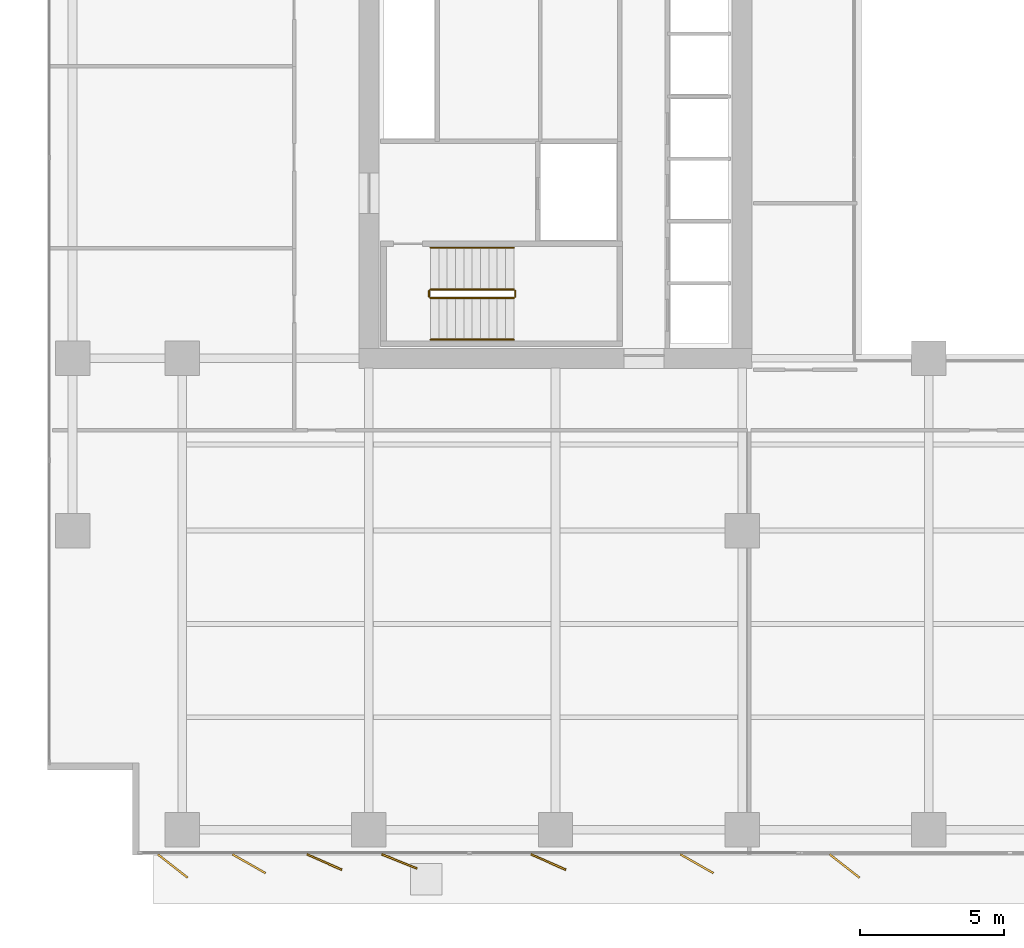
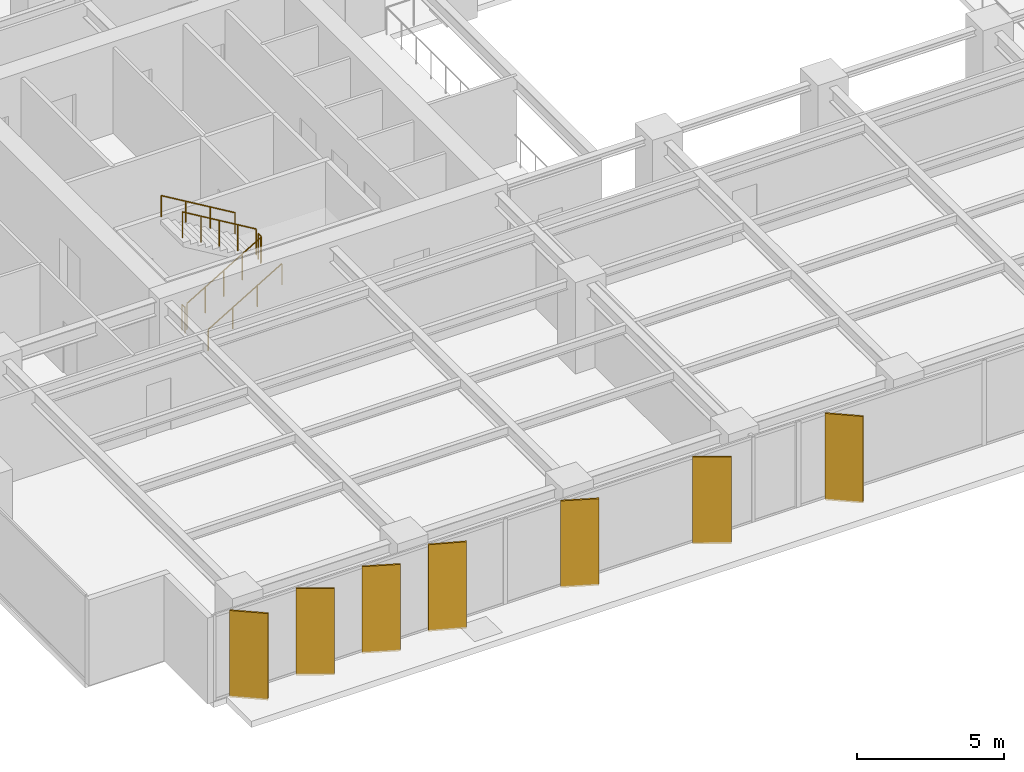
# One storey, part 16 of 19: 7 shading devices, 6 railings.
"""IFC4 building model written with IfcOpenShell, lengths in metres."""

from ifc_helpers import new_model, si_unit, direction, frame, origin, origin_2d, place, context, subcontext, project, spatial, rectangle, circle, extrude, material, layer, layer_set, type_object, element, save


model = new_model("IFC4")

# Units and contexts
model_context = context("Model", 3, precision=1e-05, world=origin(), true_north=direction((0.0, 1.0)))
body_context = subcontext(model_context, "Body", "Model", "MODEL_VIEW")
ifc_project = project(units=[si_unit("LENGTHUNIT", "METRE"), si_unit("AREAUNIT", "SQUARE_METRE"), si_unit("VOLUMEUNIT", "CUBIC_METRE"), si_unit("PLANEANGLEUNIT", "RADIAN"), si_unit("MASSUNIT", "GRAM", prefix="KILO")], contexts=[model_context])

# Site, building, storey
site_placement = place(None, origin())
site = spatial("IfcSite", under=ifc_project, at=site_placement, CompositionType="ELEMENT")
building_placement = place(site_placement, origin())
building = spatial("IfcBuilding", under=site, at=building_placement, Name="Putna Gate Headquarters", CompositionType="ELEMENT")
storey_placement = place(building_placement, frame((0.0, 0.0, 86.0)))
storey = spatial("IfcBuildingStorey", under=building, at=storey_placement, Name="L20", CompositionType="ELEMENT", Elevation=86.0)

# Railings
ifc_material_1 = material(Name="Powder-coated steel stair guardrail", Category="steel")
railing_type_1 = type_object("IfcRailingType", Name="RAIL-STAIR-GUARD-1100", PredefinedType="GUARDRAIL", material=ifc_material_1)
railing_1_placement = place(storey_placement, frame((15.14990234375, 21.10009765625, 0.172607421875)))
element("IfcRailing", 1, at=railing_1_placement, inside=storey, type_object=railing_type_1, Name="L20 ST1 stair guard 1", PredefinedType="GUARDRAIL", context=body_context, shape_type="SweptSolid", body=[
    extrude(circle(Radius=0.02392578125, at=origin_2d()), frame((0.0, 0.0, 1.076171875), z_axis=(0.859160404282, 0.0, 0.51170636083), x_axis=(0.0, 1.0, 0.0)), (0.0, 0.0, 1.0), 3.37548828125),
    extrude(circle(Radius=0.02099609375, at=origin_2d()), origin(), (0.0, 0.0, 1.0), 1.052001953125),
    extrude(circle(Radius=0.02099609375, at=origin_2d()), frame((0.72509765625, 0.0, 0.431884765625)), (0.0, 0.0, 1.0), 1.052001953125),
    extrude(circle(Radius=0.02099609375, at=origin_2d()), frame((1.4501953125, 0.0, 0.86376953125)), (0.0, 0.0, 1.0), 1.052001953125),
    extrude(circle(Radius=0.02099609375, at=origin_2d()), frame((2.175048828125, 0.0, 1.29541015625)), (0.0, 0.0, 1.0), 1.052001953125),
    extrude(circle(Radius=0.02099609375, at=origin_2d()), frame((2.900146484375, 0.0, 1.727294921875)), (0.0, 0.0, 1.0), 1.052001953125),
])
railing_2_placement = place(storey_placement, frame((18.10009765625, 21.14990234375, 1.89990234375)))
element("IfcRailing", 2, at=railing_2_placement, inside=storey, type_object=railing_type_1, Name="L20 ST1 stair guard 2", PredefinedType="GUARDRAIL", context=body_context, shape_type="SweptSolid", body=[
    extrude(circle(Radius=0.02392578125, at=origin_2d()), frame((0.0, 0.0, 1.076171875), z_axis=(0.0, 1.0, 0.0), x_axis=(-1.0, 0.0, 0.0)), (0.0, 0.0, 1.0), 0.2001953125),
    extrude(circle(Radius=0.02099609375, at=origin_2d()), origin(), (0.0, 0.0, 1.0), 1.052001953125),
    extrude(circle(Radius=0.02099609375, at=origin_2d()), frame((0.0, 0.2001953125, 0.0)), (0.0, 0.0, 1.0), 1.052001953125),
])
railing_3_placement = place(storey_placement, frame((18.050048828125, 21.39990234375, 2.07275390625)))
element("IfcRailing", 3, at=railing_3_placement, inside=storey, type_object=railing_type_1, Name="L20 ST1 stair guard 3", PredefinedType="GUARDRAIL", context=body_context, shape_type="SweptSolid", body=[
    extrude(circle(Radius=0.02392578125, at=origin_2d()), frame((0.0, 0.0, 1.076171875), z_axis=(-0.859160404282, 0.0, 0.51170636083), x_axis=(0.0, -1.0, 0.0)), (0.0, 0.0, 1.0), 3.37548828125),
    extrude(circle(Radius=0.02099609375, at=origin_2d()), origin(), (0.0, 0.0, 1.0), 1.052001953125),
    extrude(circle(Radius=0.02099609375, at=origin_2d()), frame((-0.72509765625, 0.0, 0.431884765625)), (0.0, 0.0, 1.0), 1.052001953125),
    extrude(circle(Radius=0.02099609375, at=origin_2d()), frame((-1.4501953125, 0.0, 0.86376953125)), (0.0, 0.0, 1.0), 1.052001953125),
    extrude(circle(Radius=0.02099609375, at=origin_2d()), frame((-2.175048828125, 0.0, 1.29541015625)), (0.0, 0.0, 1.0), 1.052001953125),
    extrude(circle(Radius=0.02099609375, at=origin_2d()), frame((-2.900146484375, 0.0, 1.727294921875)), (0.0, 0.0, 1.0), 1.052001953125),
])
railing_4_placement = place(storey_placement, frame((15.10009765625, 21.14990234375, 0.0)))
element("IfcRailing", 4, at=railing_4_placement, inside=storey, type_object=railing_type_1, Name="L20 ST1 stair guard 4", PredefinedType="GUARDRAIL", context=body_context, shape_type="SweptSolid", body=[
    extrude(circle(Radius=0.02392578125, at=origin_2d()), frame((0.0, 0.0, 1.076171875), z_axis=(0.0, 1.0, 0.0), x_axis=(-1.0, 0.0, 0.0)), (0.0, 0.0, 1.0), 0.2001953125),
    extrude(circle(Radius=0.02099609375, at=origin_2d()), origin(), (0.0, 0.0, 1.0), 1.052001953125),
    extrude(circle(Radius=0.02099609375, at=origin_2d()), frame((0.0, 0.2001953125, 0.0)), (0.0, 0.0, 1.0), 1.052001953125),
])
ifc_material_2 = material(Name="Brushed stainless steel handrail", Category="steel")
railing_type_2 = type_object("IfcRailingType", Name="RAIL-STAIR-HAND-900", PredefinedType="HANDRAIL", material=ifc_material_2)
railing_5_placement = place(storey_placement, frame((15.14990234375, 19.64990234375, 0.172607421875)))
element("IfcRailing", 5, at=railing_5_placement, inside=storey, type_object=railing_type_2, Name="L20 ST1 stair handrail 1", PredefinedType="HANDRAIL", context=body_context, shape_type="SweptSolid", body=[
    extrude(circle(Radius=0.02392578125, at=origin_2d()), frame((0.0, 0.0, 0.8759765625), z_axis=(0.859160404282, 0.0, 0.51170636083), x_axis=(0.0, 1.0, 0.0)), (0.0, 0.0, 1.0), 3.37548828125),
    extrude(circle(Radius=0.02099609375, at=origin_2d()), origin(), (0.0, 0.0, 1.0), 0.851806640625),
    extrude(circle(Radius=0.02099609375, at=origin_2d()), frame((0.966796875, 0.0, 0.57568359375)), (0.0, 0.0, 1.0), 0.851806640625),
    extrude(circle(Radius=0.02099609375, at=origin_2d()), frame((1.933349609375, 0.0, 1.151611328125)), (0.0, 0.0, 1.0), 0.851806640625),
    extrude(circle(Radius=0.02099609375, at=origin_2d()), frame((2.900146484375, 0.0, 1.727294921875)), (0.0, 0.0, 1.0), 0.851806640625),
])
railing_6_placement = place(storey_placement, frame((18.050048828125, 22.85009765625, 2.07275390625)))
element("IfcRailing", 6, at=railing_6_placement, inside=storey, type_object=railing_type_2, Name="L20 ST1 stair handrail 2", PredefinedType="HANDRAIL", context=body_context, shape_type="SweptSolid", body=[
    extrude(circle(Radius=0.02392578125, at=origin_2d()), frame((0.0, 0.0, 0.8759765625), z_axis=(-0.859160404282, 0.0, 0.51170636083), x_axis=(0.0, -1.0, 0.0)), (0.0, 0.0, 1.0), 3.37548828125),
    extrude(circle(Radius=0.02099609375, at=origin_2d()), origin(), (0.0, 0.0, 1.0), 0.851806640625),
    extrude(circle(Radius=0.02099609375, at=origin_2d()), frame((-0.966796875, 0.0, 0.57568359375)), (0.0, 0.0, 1.0), 0.851806640625),
    extrude(circle(Radius=0.02099609375, at=origin_2d()), frame((-1.933349609375, 0.0, 1.151611328125)), (0.0, 0.0, 1.0), 0.851806640625),
    extrude(circle(Radius=0.02099609375, at=origin_2d()), frame((-2.900146484375, 0.0, 1.727294921875)), (0.0, 0.0, 1.0), 0.851806640625),
])

# Shading devices
ifc_material_3 = material(Name="Anodised architectural bronze aluminium fin", Category="aluminium")
ifc_layer = layer(ifc_material_3, 0.06494140625)
ifc_layer_set = layer_set([ifc_layer], Name="Anodised architectural bronze aluminium fin")
shading_device_type = type_object("IfcShadingDeviceType", Name="SHADE-BRONZE-FIN-1320", PredefinedType="USERDEFINED", material=ifc_layer_set)
for number, where, z_axis, x_axis, name in (
    (7, (6.169677734375, 1.318115234375, -0.02001953125), (0.0, 0.0, 1.0), (0.787473187632, -0.616348909921, 0.0), "L20 Bronze Vertical Shading Fin S1"),
    (8, (8.82373046875, 1.398681640625, -0.02001953125), (0.0, 0.0, 1.0), (0.869322458298, -0.494245347472, 0.0), "L20 Bronze Vertical Shading Fin S2"),
    (9, (11.452880859375, 1.456787109375, -0.02001953125), (0.0, 0.0, 1.0), (0.913687379856, -0.40641773078, 0.0), "L20 Bronze Vertical Shading Fin S3"),
    (10, (14.06201171875, 1.477783203125, -0.02001953125), (0.0, 0.0, 1.0), (0.927183854567, -0.374606593416, 0.0), "L20 Bronze Vertical Shading Fin S4"),
    (11, (19.2529296875, 1.456787109375, -0.02001953125), (0.0, 0.0, 1.0), (0.913687379856, -0.40641773078, 0.0), "L20 Bronze Vertical Shading Fin S5"),
    (12, (24.423828125, 1.398681640625, -0.02001953125), (0.0, 0.0, 1.0), (0.869322458298, -0.494245347472, 0.0), "L20 Bronze Vertical Shading Fin S6"),
    (13, (29.569580078125, 1.318115234375, -0.02001953125), (0.0, 0.0, 1.0), (0.787473187632, -0.616348909921, 0.0), "L20 Bronze Vertical Shading Fin S7"),
):
    element("IfcShadingDevice", number, at=place(storey_placement, frame(where, z_axis=z_axis, x_axis=x_axis)), inside=storey, type_object=shading_device_type, Name=name, ObjectType="FIN", PredefinedType="USERDEFINED", context=body_context, shape_type="SweptSolid", body=[
        extrude(rectangle(XDim=1.320068359375, YDim=0.06494140625, at=origin_2d()), origin(), (0.0, 0.0, 1.0), 3.60498046875),
    ])

save(model, "model.ifc")
